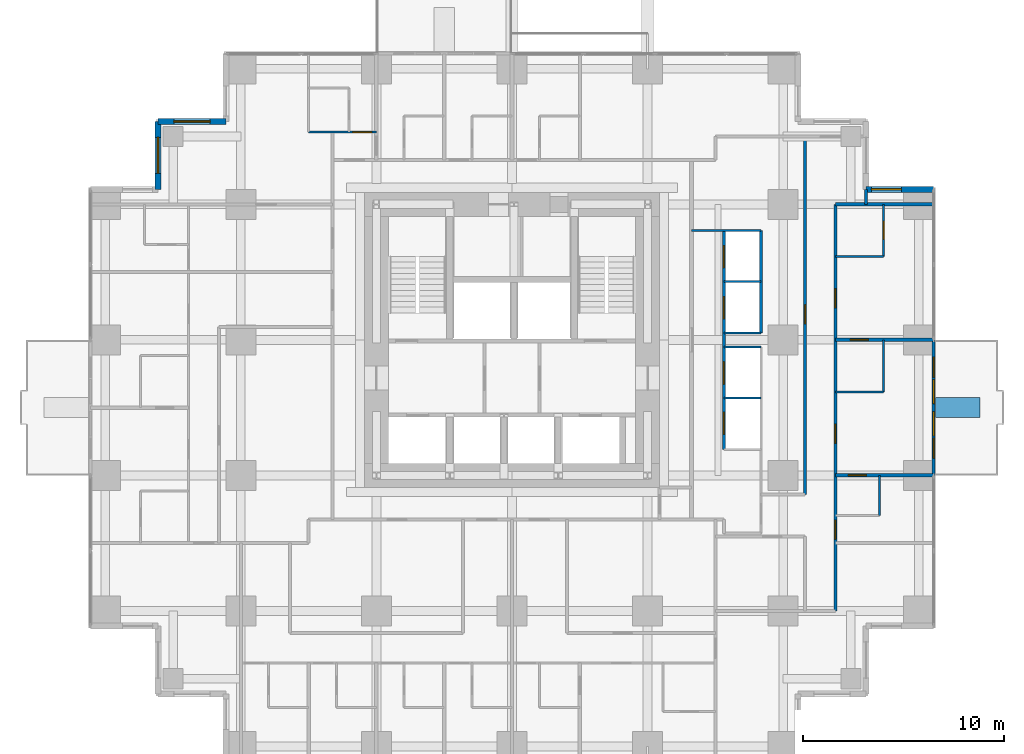
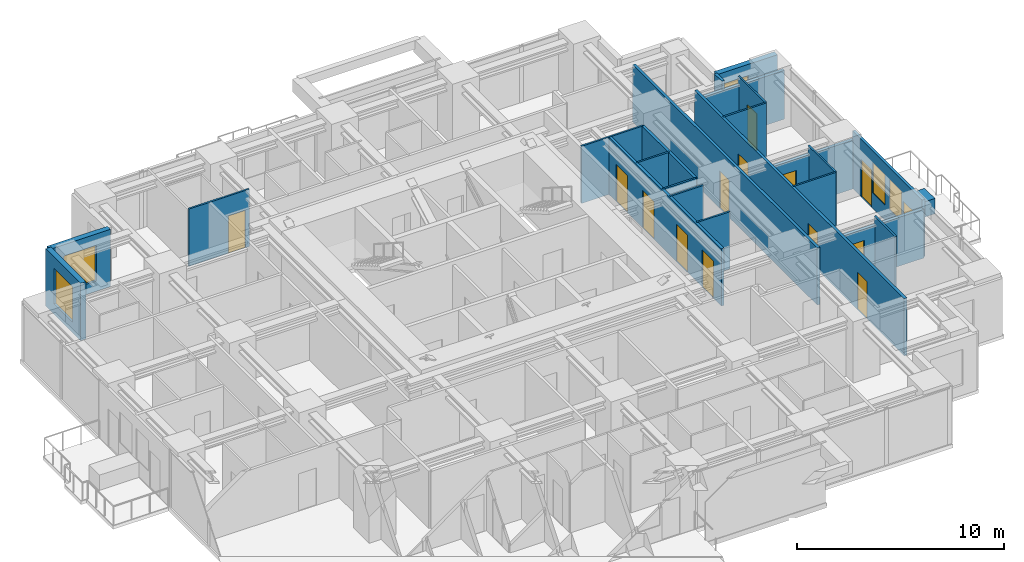
# One storey, part 10 of 13: 24 walls, 14 doors, 5 windows, 19 openings.
"""IFC4 building model written with IfcOpenShell, lengths in metres."""

from ifc_helpers import new_model, si_unit, direction, frame, frame_2d, origin, place, context, subcontext, project, spatial, rectangle, extrude, material, layer, layer_set, type_object, element, fill, save


model = new_model("IFC4")

# Units and contexts
model_context = context("Model", 3, precision=1e-05, world=origin(), true_north=direction((0.0, 1.0)))
body_context = subcontext(model_context, "Body", "Model", "MODEL_VIEW")
ifc_project = project(units=[si_unit("LENGTHUNIT", "METRE"), si_unit("AREAUNIT", "SQUARE_METRE"), si_unit("VOLUMEUNIT", "CUBIC_METRE"), si_unit("PLANEANGLEUNIT", "RADIAN"), si_unit("MASSUNIT", "GRAM", prefix="KILO")], contexts=[model_context])

# Site, building, storey
site_placement = place(None, origin())
site = spatial("IfcSite", under=ifc_project, at=site_placement, CompositionType="ELEMENT")
building_placement = place(site_placement, origin())
building = spatial("IfcBuilding", under=site, at=building_placement, Name="Nyansa Garden Tower", CompositionType="ELEMENT")
storey_placement = place(building_placement, frame((0.0, 0.0, 116.10009765625)))
storey = spatial("IfcBuildingStorey", under=building, at=storey_placement, Name="L31", CompositionType="ELEMENT", Elevation=116.10009765625)

# Wall, opening, door
ifc_material_1 = material(Name="Dense blockwork, plastered both sides, 55 dB", Category="masonry")
ifc_layer_1 = layer(ifc_material_1, 0.175048828125)
ifc_layer_set_1 = layer_set([ifc_layer_1], Name="Acoustic party wall PW175")
wall_type_1 = type_object("IfcWallType", Name="Acoustic party wall PW175", PredefinedType="PARTITIONING", material=ifc_layer_set_1)
wall_1_placement = place(storey_placement, frame((36.35009765625, 13.5, 0.0), z_axis=(0.0, 0.0, 1.0), x_axis=(1.0, 0.0, 0.0)))
wall_1 = element("IfcWall", 1, at=wall_1_placement, inside=storey, type_object=wall_type_1, Name="Party wall", PredefinedType="PARTITIONING", context=body_context, shape_type="SweptSolid", body=[
    extrude(rectangle(XDim=4.8837890625, YDim=0.175048828125, at=frame_2d((2.44189453125, 0.0))), origin(), (0.0, 0.0, 1.0), 2.876953125),
])
opening_1_placement = place(wall_1_placement, frame((0.64990234375, 0.0, 0.0)))
opening_1 = element("IfcOpeningElement", 2, at=opening_1_placement, cuts=wall_1, Name="Opening D02", PredefinedType="OPENING", context=body_context, shape_type="SweptSolid", body=[
    extrude(rectangle(XDim=0.89990234375, YDim=2.199951171875, at=frame_2d((0.449951171875, 1.10009765625))), frame((0.0, 0.097412109375, 0.0), z_axis=(0.0, -1.0, 0.0), x_axis=(1.0, 0.0, 0.0)), (0.0, 0.0, 1.0), 0.195068359375),
])
ifc_material_2 = material(Name="Timber flush door", Category="wood")
door_type_1 = type_object("IfcDoorType", Name="En-suite door D02 900x2200", OperationType="SINGLE_SWING_RIGHT", PredefinedType="DOOR", material=ifc_material_2)
door_1_placement = place(opening_1_placement, origin())
door_1 = element("IfcDoor", 3, at=door_1_placement, inside=storey, type_object=door_type_1, Name="Door L31-040", OperationType="SINGLE_SWING_RIGHT", OverallHeight=2.199951171875, OverallWidth=0.89990234375, PredefinedType="DOOR", context=body_context, shape_type="SweptSolid", body=[
    extrude(rectangle(XDim=0.89990234375, YDim=2.199951171875, at=frame_2d((0.449951171875, 1.10009765625))), frame((0.0, 0.02490234375, 0.0), z_axis=(0.0, -1.0, 0.0), x_axis=(1.0, 0.0, 0.0)), (0.0, 0.0, 1.0), 0.050048828125),
])
fill(opening_1, door_1)

wall_2_placement = place(storey_placement, frame((36.35009765625, 20.25, 0.0), z_axis=(0.0, 0.0, 1.0), x_axis=(1.0, 0.0, 0.0)))
wall_2 = element("IfcWall", 4, at=wall_2_placement, inside=storey, type_object=wall_type_1, Name="Party wall", PredefinedType="PARTITIONING", context=body_context, shape_type="SweptSolid", body=[
    extrude(rectangle(XDim=4.8837890625, YDim=0.175048828125, at=frame_2d((2.44189453125, 0.0))), origin(), (0.0, 0.0, 1.0), 2.876953125),
])
opening_2_placement = place(wall_2_placement, frame((0.75, 0.0, 0.0)))
opening_2 = element("IfcOpeningElement", 5, at=opening_2_placement, cuts=wall_2, Name="Opening D02", PredefinedType="OPENING", context=body_context, shape_type="SweptSolid", body=[
    extrude(rectangle(XDim=0.89990234375, YDim=2.199951171875, at=frame_2d((0.449951171875, 1.10009765625))), frame((0.0, 0.097412109375, 0.0), z_axis=(0.0, -1.0, 0.0), x_axis=(1.0, 0.0, 0.0)), (0.0, 0.0, 1.0), 0.195068359375),
])
door_2_placement = place(opening_2_placement, origin())
door_2 = element("IfcDoor", 6, at=door_2_placement, inside=storey, type_object=door_type_1, Name="Door L31-038", OperationType="SINGLE_SWING_RIGHT", OverallHeight=2.199951171875, OverallWidth=0.89990234375, PredefinedType="DOOR", context=body_context, shape_type="SweptSolid", body=[
    extrude(rectangle(XDim=0.89990234375, YDim=2.199951171875, at=frame_2d((0.449951171875, 1.10009765625))), frame((0.0, 0.02490234375, 0.0), z_axis=(0.0, -1.0, 0.0), x_axis=(1.0, 0.0, 0.0)), (0.0, 0.0, 1.0), 0.050048828125),
])
fill(opening_2, door_2)

# Wall
wall_3_placement = place(storey_placement, frame((36.35009765625, 27.0, 0.0), z_axis=(0.0, 0.0, 1.0), x_axis=(1.0, 0.0, 0.0)))
element("IfcWall", 7, at=wall_3_placement, inside=storey, type_object=wall_type_1, Name="Party wall", PredefinedType="PARTITIONING", context=body_context, shape_type="SweptSolid", body=[
    extrude(rectangle(XDim=4.8837890625, YDim=0.175048828125, at=frame_2d((2.44189453125, 0.0))), origin(), (0.0, 0.0, 1.0), 2.876953125),
])

# Wall, openings, doors, windows
ifc_material_3 = material(Name="Black aluminium framed glazed screen", Category="aluminium")
ifc_layer_2 = layer(ifc_material_3, 0.14990234375)
ifc_layer_set_2 = layer_set([ifc_layer_2], Name="Balcony screen wall BW150")
wall_type_2 = type_object("IfcWallType", Name="Balcony screen wall BW150", PredefinedType="SOLIDWALL", material=ifc_layer_set_2)
wall_4_placement = place(storey_placement, frame((41.25, 20.25, 0.0), z_axis=(0.0, 0.0, 1.0), x_axis=(0.0, -1.0, 0.0)))
wall_4 = element("IfcWall", 8, at=wall_4_placement, inside=storey, type_object=wall_type_2, Name="Glazed screen wall L31 E", PredefinedType="SOLIDWALL", context=body_context, shape_type="SweptSolid", body=[
    extrude(rectangle(XDim=6.75, YDim=0.14990234375, at=frame_2d((3.375, 0.0))), origin(), (0.0, 0.0, 1.0), 3.375),
])
opening_3_placement = place(wall_4_placement, frame((0.862548828125, 0.0, 0.0)))
opening_3 = element("IfcOpeningElement", 9, at=opening_3_placement, cuts=wall_4, Name="Opening D20", PredefinedType="OPENING", context=body_context, shape_type="SweptSolid", body=[
    extrude(rectangle(XDim=1.0, YDim=2.199951171875, at=frame_2d((0.5, 1.10009765625))), frame((0.0, 0.0849609375, 0.0), z_axis=(0.0, -1.0, 0.0), x_axis=(1.0, 0.0, 0.0)), (0.0, 0.0, 1.0), 0.169921875),
])
opening_4_placement = place(wall_4_placement, frame((1.97509765625, 0.0, 0.89990234375)))
opening_4 = element("IfcOpeningElement", 10, at=opening_4_placement, cuts=wall_4, Name="Opening W6", PredefinedType="OPENING", context=body_context, shape_type="SweptSolid", body=[
    extrude(rectangle(XDim=1.199951171875, YDim=1.800048828125, at=frame_2d((0.60009765625, 0.89990234375))), frame((0.0, 0.0849609375, 0.0), z_axis=(0.0, -1.0, 0.0), x_axis=(1.0, 0.0, 0.0)), (0.0, 0.0, 1.0), 0.169921875),
])
opening_5_placement = place(wall_4_placement, frame((4.887451171875, 0.0, 0.0)))
opening_5 = element("IfcOpeningElement", 11, at=opening_5_placement, cuts=wall_4, Name="Opening D20", PredefinedType="OPENING", context=body_context, shape_type="SweptSolid", body=[
    extrude(rectangle(XDim=1.0, YDim=2.199951171875, at=frame_2d((0.5, 1.10009765625))), frame((0.0, 0.0849609375, 0.0), z_axis=(0.0, -1.0, 0.0), x_axis=(1.0, 0.0, 0.0)), (0.0, 0.0, 1.0), 0.169921875),
])
opening_6_placement = place(wall_4_placement, frame((3.574951171875, 0.0, 0.89990234375)))
opening_6 = element("IfcOpeningElement", 12, at=opening_6_placement, cuts=wall_4, Name="Opening W6", PredefinedType="OPENING", context=body_context, shape_type="SweptSolid", body=[
    extrude(rectangle(XDim=1.199951171875, YDim=1.800048828125, at=frame_2d((0.60009765625, 0.89990234375))), frame((0.0, 0.0849609375, 0.0), z_axis=(0.0, -1.0, 0.0), x_axis=(1.0, 0.0, 0.0)), (0.0, 0.0, 1.0), 0.169921875),
])
ifc_material_4 = material(Name="Black aluminium framed glazed door", Category="aluminium")
door_type_2 = type_object("IfcDoorType", Name="Balcony door D20 1000x2200", OperationType="NOTDEFINED", PredefinedType="DOOR", material=ifc_material_4)
door_3_placement = place(opening_3_placement, origin())
door_3 = element("IfcDoor", 13, at=door_3_placement, inside=storey, type_object=door_type_2, Name="Balcony door L31", OperationType="SINGLE_SWING_LEFT", OverallHeight=2.199951171875, OverallWidth=1.0, PredefinedType="DOOR", context=body_context, shape_type="SweptSolid", body=[
    extrude(rectangle(XDim=1.0, YDim=2.199951171875, at=frame_2d((0.5, 1.10009765625))), frame((0.0, 0.02490234375, 0.0), z_axis=(0.0, -1.0, 0.0), x_axis=(1.0, 0.0, 0.0)), (0.0, 0.0, 1.0), 0.050048828125),
])
fill(opening_3, door_3)
door_4_placement = place(opening_5_placement, origin())
door_4 = element("IfcDoor", 14, at=door_4_placement, inside=storey, type_object=door_type_2, Name="Balcony door L31", OperationType="SINGLE_SWING_RIGHT", OverallHeight=2.199951171875, OverallWidth=1.0, PredefinedType="DOOR", context=body_context, shape_type="SweptSolid", body=[
    extrude(rectangle(XDim=1.0, YDim=2.199951171875, at=frame_2d((0.5, 1.10009765625))), frame((0.0, 0.02490234375, 0.0), z_axis=(0.0, -1.0, 0.0), x_axis=(1.0, 0.0, 0.0)), (0.0, 0.0, 1.0), 0.050048828125),
])
fill(opening_5, door_4)
ifc_material_5 = material(Name="Black aluminium frame, dark tinted double glazing", Category="aluminium")
window_type_1 = type_object("IfcWindowType", Name="Balcony window W6 1200x1800", PartitioningType="SINGLE_PANEL", PredefinedType="WINDOW", material=ifc_material_5)
window_1_placement = place(opening_4_placement, origin())
window_1 = element("IfcWindow", 15, at=window_1_placement, inside=storey, type_object=window_type_1, Name="Window L31", OverallHeight=1.800048828125, OverallWidth=1.199951171875, PartitioningType="SINGLE_PANEL", PredefinedType="WINDOW", context=body_context, shape_type="SweptSolid", body=[
    extrude(rectangle(XDim=1.199951171875, YDim=1.800048828125, at=frame_2d((0.60009765625, 0.89990234375))), frame((0.0, 0.030029296875, 0.0), z_axis=(0.0, -1.0, 0.0), x_axis=(1.0, 0.0, 0.0)), (0.0, 0.0, 1.0), 0.06005859375),
])
fill(opening_4, window_1)
window_2_placement = place(opening_6_placement, origin())
window_2 = element("IfcWindow", 16, at=window_2_placement, inside=storey, type_object=window_type_1, Name="Window L31", OverallHeight=1.800048828125, OverallWidth=1.199951171875, PartitioningType="SINGLE_PANEL", PredefinedType="WINDOW", context=body_context, shape_type="SweptSolid", body=[
    extrude(rectangle(XDim=1.199951171875, YDim=1.800048828125, at=frame_2d((0.60009765625, 0.89990234375))), frame((0.0, 0.030029296875, 0.0), z_axis=(0.0, -1.0, 0.0), x_axis=(1.0, 0.0, 0.0)), (0.0, 0.0, 1.0), 0.06005859375),
])
fill(opening_6, window_2)

# Walls
ifc_material_6 = material(Name="Steel-stud shaft wall, two layers fire-rated board, EI 120", Category="steel")
ifc_layer_3 = layer(ifc_material_6, 0.10009765625)
ifc_layer_set_3 = layer_set([ifc_layer_3], Name="Lift shaft wall SW100")
wall_type_3 = type_object("IfcWallType", Name="Lift shaft wall SW100", PredefinedType="SHEAR", material=ifc_layer_set_3)
wall_5_placement = place(storey_placement, frame((29.199951171875, 25.699951171875, 0.0), z_axis=(0.0, 0.0, 1.0), x_axis=(1.0, 0.0, 0.0)))
element("IfcWall", 17, at=wall_5_placement, inside=storey, type_object=wall_type_3, Name="Lift shaft wall", PredefinedType="SHEAR", context=body_context, shape_type="SweptSolid", body=[
    extrude(rectangle(XDim=3.449951171875, YDim=0.10009765625, at=frame_2d((1.72509765625, 0.0))), origin(), (0.0, 0.0, 1.0), 3.375),
])
for number, where, z_axis, x_axis, name in (
    (18, (30.800048828125, 17.35009765625, 0.0), (0.0, 0.0, 1.0), (1.0, 0.0, 0.0), "Lift shaft wall"),
    (19, (30.800048828125, 19.89990234375, 0.0), (0.0, 0.0, 1.0), (1.0, 0.0, 0.0), "Lift shaft wall"),
    (20, (30.800048828125, 20.60009765625, 0.0), (0.0, 0.0, 1.0), (1.0, 0.0, 0.0), "Lift shaft wall"),
    (21, (30.800048828125, 23.14990234375, 0.0), (0.0, 0.0, 1.0), (1.0, 0.0, 0.0), "Lift shaft wall"),
):
    element("IfcWall", number, at=place(storey_placement, frame(where, z_axis=z_axis, x_axis=x_axis)), inside=storey, type_object=wall_type_3, Name=name, PredefinedType="SHEAR", context=body_context, shape_type="SweptSolid", body=[
        extrude(rectangle(XDim=1.849853515625, YDim=0.10009765625, at=frame_2d((0.9248046875, 0.0))), origin(), (0.0, 0.0, 1.0), 3.375),
    ])

# Wall, openings, doors
ifc_material_7 = material(Name="Blockwork, plastered both sides", Category="masonry")
ifc_layer_4 = layer(ifc_material_7, 0.14990234375)
ifc_layer_set_4 = layer_set([ifc_layer_4], Name="Partition PW150")
wall_type_4 = type_object("IfcWallType", Name="Partition PW150", PredefinedType="PARTITIONING", material=ifc_layer_set_4)
wall_6_placement = place(storey_placement, frame((30.800048828125, 14.800048828125, 0.0), z_axis=(0.0, 0.0, 1.0), x_axis=(0.0, 1.0, 0.0)))
wall_6 = element("IfcWall", 22, at=wall_6_placement, inside=storey, type_object=wall_type_4, Name="Partition", PredefinedType="PARTITIONING", context=body_context, shape_type="SweptSolid", body=[
    extrude(rectangle(XDim=10.89990234375, YDim=0.14990234375, at=frame_2d((5.449951171875, 0.0))), origin(), (0.0, 0.0, 1.0), 3.375),
])
opening_7_placement = place(wall_6_placement, frame((0.75, 0.0, 0.0)))
opening_7 = element("IfcOpeningElement", 23, at=opening_7_placement, cuts=wall_6, Name="Opening LD-A", PredefinedType="OPENING", context=body_context, shape_type="SweptSolid", body=[
    extrude(rectangle(XDim=1.10009765625, YDim=2.199951171875, at=frame_2d((0.550048828125, 1.10009765625))), frame((0.0, 0.0849609375, 0.0), z_axis=(0.0, -1.0, 0.0), x_axis=(1.0, 0.0, 0.0)), (0.0, 0.0, 1.0), 0.169921875),
])
opening_8_placement = place(wall_6_placement, frame((3.25, 0.0, 0.0)))
opening_8 = element("IfcOpeningElement", 24, at=opening_8_placement, cuts=wall_6, Name="Opening LD-A", PredefinedType="OPENING", context=body_context, shape_type="SweptSolid", body=[
    extrude(rectangle(XDim=1.10009765625, YDim=2.199951171875, at=frame_2d((0.550048828125, 1.10009765625))), frame((0.0, 0.0849609375, 0.0), z_axis=(0.0, -1.0, 0.0), x_axis=(1.0, 0.0, 0.0)), (0.0, 0.0, 1.0), 0.169921875),
])
opening_9_placement = place(wall_6_placement, frame((6.5, 0.0, 0.0)))
opening_9 = element("IfcOpeningElement", 25, at=opening_9_placement, cuts=wall_6, Name="Opening LD-A", PredefinedType="OPENING", context=body_context, shape_type="SweptSolid", body=[
    extrude(rectangle(XDim=1.10009765625, YDim=2.199951171875, at=frame_2d((0.550048828125, 1.10009765625))), frame((0.0, 0.0849609375, 0.0), z_axis=(0.0, -1.0, 0.0), x_axis=(1.0, 0.0, 0.0)), (0.0, 0.0, 1.0), 0.169921875),
])
opening_10_placement = place(wall_6_placement, frame((9.050048828125, 0.0, 0.0)))
opening_10 = element("IfcOpeningElement", 26, at=opening_10_placement, cuts=wall_6, Name="Opening LD-A", PredefinedType="OPENING", context=body_context, shape_type="SweptSolid", body=[
    extrude(rectangle(XDim=1.10009765625, YDim=2.199951171875, at=frame_2d((0.550048828125, 1.10009765625))), frame((0.0, 0.0849609375, 0.0), z_axis=(0.0, -1.0, 0.0), x_axis=(1.0, 0.0, 0.0)), (0.0, 0.0, 1.0), 0.169921875),
])
ifc_material_8 = material(Name="Stainless steel centre-opening landing door of the low-rise lift, E 120", Category="steel")
door_type_3 = type_object("IfcDoorType", Name="Lift landing door LD-A 1100x2200", OperationType="DOUBLE_DOOR_SLIDING", PredefinedType="DOOR", material=ifc_material_8)
door_5_placement = place(opening_7_placement, origin())
door_5 = element("IfcDoor", 27, at=door_5_placement, inside=storey, type_object=door_type_3, Name="Landing door A1", OperationType="DOUBLE_DOOR_SLIDING", OverallHeight=2.199951171875, OverallWidth=1.10009765625, PredefinedType="DOOR", context=body_context, shape_type="SweptSolid", body=[
    extrude(rectangle(XDim=1.10009765625, YDim=2.199951171875, at=frame_2d((0.550048828125, 1.10009765625))), frame((0.0, 0.02490234375, 0.0), z_axis=(0.0, -1.0, 0.0), x_axis=(1.0, 0.0, 0.0)), (0.0, 0.0, 1.0), 0.050048828125),
])
fill(opening_7, door_5)
door_6_placement = place(opening_8_placement, origin())
door_6 = element("IfcDoor", 28, at=door_6_placement, inside=storey, type_object=door_type_3, Name="Landing door A2", OperationType="DOUBLE_DOOR_SLIDING", OverallHeight=2.199951171875, OverallWidth=1.10009765625, PredefinedType="DOOR", context=body_context, shape_type="SweptSolid", body=[
    extrude(rectangle(XDim=1.10009765625, YDim=2.199951171875, at=frame_2d((0.550048828125, 1.10009765625))), frame((0.0, 0.02490234375, 0.0), z_axis=(0.0, -1.0, 0.0), x_axis=(1.0, 0.0, 0.0)), (0.0, 0.0, 1.0), 0.050048828125),
])
fill(opening_8, door_6)
door_7_placement = place(opening_9_placement, origin())
door_7 = element("IfcDoor", 29, at=door_7_placement, inside=storey, type_object=door_type_3, Name="Landing door A3", OperationType="DOUBLE_DOOR_SLIDING", OverallHeight=2.199951171875, OverallWidth=1.10009765625, PredefinedType="DOOR", context=body_context, shape_type="SweptSolid", body=[
    extrude(rectangle(XDim=1.10009765625, YDim=2.199951171875, at=frame_2d((0.550048828125, 1.10009765625))), frame((0.0, 0.02490234375, 0.0), z_axis=(0.0, -1.0, 0.0), x_axis=(1.0, 0.0, 0.0)), (0.0, 0.0, 1.0), 0.050048828125),
])
fill(opening_9, door_7)
door_8_placement = place(opening_10_placement, origin())
door_8 = element("IfcDoor", 30, at=door_8_placement, inside=storey, type_object=door_type_3, Name="Landing door A4", OperationType="DOUBLE_DOOR_SLIDING", OverallHeight=2.199951171875, OverallWidth=1.10009765625, PredefinedType="DOOR", context=body_context, shape_type="SweptSolid", body=[
    extrude(rectangle(XDim=1.10009765625, YDim=2.199951171875, at=frame_2d((0.550048828125, 1.10009765625))), frame((0.0, 0.02490234375, 0.0), z_axis=(0.0, -1.0, 0.0), x_axis=(1.0, 0.0, 0.0)), (0.0, 0.0, 1.0), 0.050048828125),
])
fill(opening_10, door_8)

# Wall
wall_7_placement = place(storey_placement, frame((32.64990234375, 20.60009765625, 0.0), z_axis=(0.0, 0.0, 1.0), x_axis=(0.0, 1.0, 0.0)))
element("IfcWall", 31, at=wall_7_placement, inside=storey, type_object=wall_type_4, Name="Partition", PredefinedType="PARTITIONING", context=body_context, shape_type="SweptSolid", body=[
    extrude(rectangle(XDim=5.099853515625, YDim=0.14990234375, at=frame_2d((2.5498046875, 0.0))), origin(), (0.0, 0.0, 1.0), 3.375),
])

# Wall, opening, door
wall_8_placement = place(storey_placement, frame((34.85009765625, 12.550048828125, 0.0), z_axis=(0.0, 0.0, 1.0), x_axis=(0.0, 1.0, 0.0)))
wall_8 = element("IfcWall", 32, at=wall_8_placement, inside=storey, type_object=wall_type_4, Name="Partition", PredefinedType="PARTITIONING", context=body_context, shape_type="SweptSolid", body=[
    extrude(rectangle(XDim=17.824951171875, YDim=0.14990234375, at=frame_2d((8.91259765625, 0.0))), origin(), (0.0, 0.0, 1.0), 3.375),
])
opening_11_placement = place(wall_8_placement, frame((8.5, 0.0, 0.0)))
opening_11 = element("IfcOpeningElement", 33, at=opening_11_placement, cuts=wall_8, Name="Opening D01", PredefinedType="OPENING", context=body_context, shape_type="SweptSolid", body=[
    extrude(rectangle(XDim=0.949951171875, YDim=2.199951171875, at=frame_2d((0.47509765625, 1.10009765625))), frame((0.0, 0.0849609375, 0.0), z_axis=(0.0, -1.0, 0.0), x_axis=(1.0, 0.0, 0.0)), (0.0, 0.0, 1.0), 0.169921875),
])
ifc_material_9 = material(Name="Timber flush door, 30 minute fire resisting", Category="wood")
door_type_4 = type_object("IfcDoorType", Name="Bedroom door D01 950x2200", OperationType="SINGLE_SWING_LEFT", PredefinedType="DOOR", material=ifc_material_9)
door_9_placement = place(opening_11_placement, origin())
door_9 = element("IfcDoor", 34, at=door_9_placement, inside=storey, type_object=door_type_4, Name="Door L31-042", OperationType="SINGLE_SWING_LEFT", OverallHeight=2.199951171875, OverallWidth=0.949951171875, PredefinedType="DOOR", context=body_context, shape_type="SweptSolid", body=[
    extrude(rectangle(XDim=0.949951171875, YDim=2.199951171875, at=frame_2d((0.47509765625, 1.10009765625))), frame((0.0, 0.02490234375, 0.0), z_axis=(0.0, -1.0, 0.0), x_axis=(1.0, 0.0, 0.0)), (0.0, 0.0, 1.0), 0.050048828125),
])
fill(opening_11, door_9)

# Wall, openings, doors
wall_9_placement = place(storey_placement, frame((36.35009765625, 6.75, 0.0), z_axis=(0.0, 0.0, 1.0), x_axis=(0.0, 1.0, 0.0)))
wall_9 = element("IfcWall", 35, at=wall_9_placement, inside=storey, type_object=wall_type_4, Name="Partition", PredefinedType="PARTITIONING", context=body_context, shape_type="SweptSolid", body=[
    extrude(rectangle(XDim=20.25, YDim=0.14990234375, at=frame_2d((10.125, 0.0))), origin(), (0.0, 0.0, 1.0), 3.375),
])
opening_12_placement = place(wall_9_placement, frame((15.10009765625, 0.0, 0.0)))
opening_12 = element("IfcOpeningElement", 36, at=opening_12_placement, cuts=wall_9, Name="Opening D14", PredefinedType="OPENING", context=body_context, shape_type="SweptSolid", body=[
    extrude(rectangle(XDim=0.949951171875, YDim=2.199951171875, at=frame_2d((0.47509765625, 1.10009765625))), frame((0.0, 0.0849609375, 0.0), z_axis=(0.0, -1.0, 0.0), x_axis=(1.0, 0.0, 0.0)), (0.0, 0.0, 1.0), 0.169921875),
])
opening_13_placement = place(wall_9_placement, frame((8.35009765625, 0.0, 0.0)))
opening_13 = element("IfcOpeningElement", 37, at=opening_13_placement, cuts=wall_9, Name="Opening D14", PredefinedType="OPENING", context=body_context, shape_type="SweptSolid", body=[
    extrude(rectangle(XDim=0.949951171875, YDim=2.199951171875, at=frame_2d((0.47509765625, 1.10009765625))), frame((0.0, 0.0849609375, 0.0), z_axis=(0.0, -1.0, 0.0), x_axis=(1.0, 0.0, 0.0)), (0.0, 0.0, 1.0), 0.169921875),
])
opening_14_placement = place(wall_9_placement, frame((3.574951171875, 0.0, 0.0)))
opening_14 = element("IfcOpeningElement", 38, at=opening_14_placement, cuts=wall_9, Name="Opening D14", PredefinedType="OPENING", context=body_context, shape_type="SweptSolid", body=[
    extrude(rectangle(XDim=0.949951171875, YDim=2.199951171875, at=frame_2d((0.47509765625, 1.10009765625))), frame((0.0, 0.0849609375, 0.0), z_axis=(0.0, -1.0, 0.0), x_axis=(1.0, 0.0, 0.0)), (0.0, 0.0, 1.0), 0.169921875),
])
ifc_material_10 = material(Name="Timber flush door, 60 minute fire resisting, self-closing", Category="wood")
door_type_5 = type_object("IfcDoorType", Name="Studio entrance door D14 950x2200", OperationType="SINGLE_SWING_LEFT", PredefinedType="DOOR", material=ifc_material_10)
door_10_placement = place(opening_12_placement, origin())
door_10 = element("IfcDoor", 39, at=door_10_placement, inside=storey, type_object=door_type_5, Name="Door L31-035", OperationType="SINGLE_SWING_LEFT", OverallHeight=2.199951171875, OverallWidth=0.949951171875, PredefinedType="DOOR", context=body_context, shape_type="SweptSolid", body=[
    extrude(rectangle(XDim=0.949951171875, YDim=2.199951171875, at=frame_2d((0.47509765625, 1.10009765625))), frame((0.0, 0.02490234375, 0.0), z_axis=(0.0, -1.0, 0.0), x_axis=(1.0, 0.0, 0.0)), (0.0, 0.0, 1.0), 0.050048828125),
])
fill(opening_12, door_10)
door_11_placement = place(opening_13_placement, origin())
door_11 = element("IfcDoor", 40, at=door_11_placement, inside=storey, type_object=door_type_5, Name="Door L31-037", OperationType="SINGLE_SWING_LEFT", OverallHeight=2.199951171875, OverallWidth=0.949951171875, PredefinedType="DOOR", context=body_context, shape_type="SweptSolid", body=[
    extrude(rectangle(XDim=0.949951171875, YDim=2.199951171875, at=frame_2d((0.47509765625, 1.10009765625))), frame((0.0, 0.02490234375, 0.0), z_axis=(0.0, -1.0, 0.0), x_axis=(1.0, 0.0, 0.0)), (0.0, 0.0, 1.0), 0.050048828125),
])
fill(opening_13, door_11)
door_12_placement = place(opening_14_placement, origin())
door_12 = element("IfcDoor", 41, at=door_12_placement, inside=storey, type_object=door_type_5, Name="Door L31-039", OperationType="SINGLE_SWING_LEFT", OverallHeight=2.199951171875, OverallWidth=0.949951171875, PredefinedType="DOOR", context=body_context, shape_type="SweptSolid", body=[
    extrude(rectangle(XDim=0.949951171875, YDim=2.199951171875, at=frame_2d((0.47509765625, 1.10009765625))), frame((0.0, 0.02490234375, 0.0), z_axis=(0.0, -1.0, 0.0), x_axis=(1.0, 0.0, 0.0)), (0.0, 0.0, 1.0), 0.050048828125),
])
fill(opening_14, door_12)

# Wall
wall_10_placement = place(storey_placement, frame((37.875, 27.0, 0.0), z_axis=(0.0, 0.0, 1.0), x_axis=(0.0, 1.0, 0.0)))
element("IfcWall", 42, at=wall_10_placement, inside=storey, type_object=wall_type_4, Name="Partition", PredefinedType="PARTITIONING", context=body_context, shape_type="SweptSolid", body=[
    extrude(rectangle(XDim=0.73388671875, YDim=0.14990234375, at=frame_2d((0.366943359375, 0.0))), origin(), (0.0, 0.0, 1.0), 3.375),
])

# Wall, opening, window
ifc_material_11 = material(Name="Turquoise glazed tile on concrete blockwork", Category="masonry")
ifc_layer_5 = layer(ifc_material_11, 0.300048828125)
ifc_layer_set_5 = layer_set([ifc_layer_5], Name="Tiled corner wall TW300")
wall_type_5 = type_object("IfcWallType", Name="Tiled corner wall TW300", PredefinedType="SOLIDWALL", material=ifc_layer_set_5)
wall_11_placement = place(storey_placement, frame((41.25, 27.75, 0.0), z_axis=(0.0, 0.0, 1.0), x_axis=(-1.0, 0.0, 0.0)))
wall_11 = element("IfcWall", 43, at=wall_11_placement, inside=storey, type_object=wall_type_5, Name="Tiled corner wall L31", PredefinedType="SOLIDWALL", context=body_context, shape_type="SweptSolid", body=[
    extrude(rectangle(XDim=3.375, YDim=0.300048828125, at=frame_2d((1.6875, 0.0))), origin(), (0.0, 0.0, 1.0), 3.375),
])
opening_15_placement = place(wall_11_placement, frame((1.607421875, 0.0, 0.89990234375)))
opening_15 = element("IfcOpeningElement", 44, at=opening_15_placement, cuts=wall_11, Name="Opening W1", PredefinedType="OPENING", context=body_context, shape_type="SweptSolid", body=[
    extrude(rectangle(XDim=1.5, YDim=1.800048828125, at=frame_2d((0.75, 0.89990234375))), frame((0.0, 0.159912109375, 0.0), z_axis=(0.0, -1.0, 0.0), x_axis=(1.0, 0.0, 0.0)), (0.0, 0.0, 1.0), 0.320068359375),
])
ifc_material_12 = material(Name="Black aluminium frame, dark tinted double glazing", Category="aluminium")
window_type_2 = type_object("IfcWindowType", Name="Window W1 1500x1800", PartitioningType="SINGLE_PANEL", PredefinedType="WINDOW", material=ifc_material_12)
window_3_placement = place(opening_15_placement, origin())
window_3 = element("IfcWindow", 45, at=window_3_placement, inside=storey, type_object=window_type_2, Name="Corner window L31", OverallHeight=1.800048828125, OverallWidth=1.5, PartitioningType="SINGLE_PANEL", PredefinedType="WINDOW", context=body_context, shape_type="SweptSolid", body=[
    extrude(rectangle(XDim=1.5, YDim=1.800048828125, at=frame_2d((0.75, 0.89990234375))), frame((0.0, 0.030029296875, 0.0), z_axis=(0.0, -1.0, 0.0), x_axis=(1.0, 0.0, 0.0)), (0.0, 0.0, 1.0), 0.06005859375),
])
fill(opening_15, window_3)

wall_12_placement = place(storey_placement, frame((6.0, 31.125, 0.0), z_axis=(0.0, 0.0, 1.0), x_axis=(-1.0, 0.0, 0.0)))
wall_12 = element("IfcWall", 46, at=wall_12_placement, inside=storey, type_object=wall_type_5, Name="Tiled corner wall L31", PredefinedType="SOLIDWALL", context=body_context, shape_type="SweptSolid", body=[
    extrude(rectangle(XDim=3.375, YDim=0.300048828125, at=frame_2d((1.6875, 0.0))), origin(), (0.0, 0.0, 1.0), 3.375),
])
opening_16_placement = place(wall_12_placement, frame((0.78759765625, 0.0, 0.60009765625)))
opening_16 = element("IfcOpeningElement", 47, at=opening_16_placement, cuts=wall_12, Name="Opening W2", PredefinedType="OPENING", context=body_context, shape_type="SweptSolid", body=[
    extrude(rectangle(XDim=1.800048828125, YDim=2.10009765625, at=frame_2d((0.89990234375, 1.050048828125))), frame((0.0, 0.159912109375, 0.0), z_axis=(0.0, -1.0, 0.0), x_axis=(1.0, 0.0, 0.0)), (0.0, 0.0, 1.0), 0.320068359375),
])
ifc_material_13 = material(Name="Black aluminium frame, dark tinted double glazing", Category="aluminium")
window_type_3 = type_object("IfcWindowType", Name="Window W2 1800x2100", PartitioningType="SINGLE_PANEL", PredefinedType="WINDOW", material=ifc_material_13)
window_4_placement = place(opening_16_placement, origin())
window_4 = element("IfcWindow", 48, at=window_4_placement, inside=storey, type_object=window_type_3, Name="Corner window L31", OverallHeight=2.10009765625, OverallWidth=1.800048828125, PartitioningType="SINGLE_PANEL", PredefinedType="WINDOW", context=body_context, shape_type="SweptSolid", body=[
    extrude(rectangle(XDim=1.800048828125, YDim=2.10009765625, at=frame_2d((0.89990234375, 1.050048828125))), frame((0.0, 0.030029296875, 0.0), z_axis=(0.0, -1.0, 0.0), x_axis=(1.0, 0.0, 0.0)), (0.0, 0.0, 1.0), 0.06005859375),
])
fill(opening_16, window_4)

wall_13_placement = place(storey_placement, frame((2.625, 31.125, 0.0), z_axis=(0.0, 0.0, 1.0), x_axis=(0.0, -1.0, 0.0)))
wall_13 = element("IfcWall", 49, at=wall_13_placement, inside=storey, type_object=wall_type_5, Name="Tiled corner wall L31", PredefinedType="SOLIDWALL", context=body_context, shape_type="SweptSolid", body=[
    extrude(rectangle(XDim=3.375, YDim=0.300048828125, at=frame_2d((1.6875, 0.0))), origin(), (0.0, 0.0, 1.0), 3.375),
])
opening_17_placement = place(wall_13_placement, frame((0.78759765625, 0.0, 0.60009765625)))
opening_17 = element("IfcOpeningElement", 50, at=opening_17_placement, cuts=wall_13, Name="Opening W2", PredefinedType="OPENING", context=body_context, shape_type="SweptSolid", body=[
    extrude(rectangle(XDim=1.800048828125, YDim=2.10009765625, at=frame_2d((0.89990234375, 1.050048828125))), frame((0.0, 0.159912109375, 0.0), z_axis=(0.0, -1.0, 0.0), x_axis=(1.0, 0.0, 0.0)), (0.0, 0.0, 1.0), 0.320068359375),
])
window_5_placement = place(opening_17_placement, origin())
window_5 = element("IfcWindow", 51, at=window_5_placement, inside=storey, type_object=window_type_3, Name="Corner window L31", OverallHeight=2.10009765625, OverallWidth=1.800048828125, PartitioningType="SINGLE_PANEL", PredefinedType="WINDOW", context=body_context, shape_type="SweptSolid", body=[
    extrude(rectangle(XDim=1.800048828125, YDim=2.10009765625, at=frame_2d((0.89990234375, 1.050048828125))), frame((0.0, 0.030029296875, 0.0), z_axis=(0.0, -1.0, 0.0), x_axis=(1.0, 0.0, 0.0)), (0.0, 0.0, 1.0), 0.06005859375),
])
fill(opening_17, window_5)

# Wall
ifc_material_14 = material(Name="Concrete C40/50 planter, waterproofed", Category="concrete")
ifc_layer_6 = layer(ifc_material_14, 1.0)
ifc_layer_set_6 = layer_set([ifc_layer_6], Name="Tree planter TP1")
wall_type_6 = type_object("IfcWallType", Name="Tree planter TP1", PredefinedType="USERDEFINED", material=ifc_layer_set_6)
wall_14_placement = place(storey_placement, frame((41.35009765625, 16.875, 0.0), z_axis=(0.0, 0.0, 1.0), x_axis=(1.0, 0.0, 0.0)))
element("IfcWall", 52, at=wall_14_placement, inside=storey, type_object=wall_type_6, Name="Tree planter L31", ObjectType="TREE PLANTER", PredefinedType="USERDEFINED", context=body_context, shape_type="SweptSolid", body=[
    extrude(rectangle(XDim=2.199951171875, YDim=1.0, at=frame_2d((1.10009765625, 0.0))), origin(), (0.0, 0.0, 1.0), 0.89990234375),
])

# Wall, opening, door
ifc_material_15 = material(Name="Moisture resistant board on steel studs, tiled", Category="steel")
ifc_layer_7 = layer(ifc_material_15, 0.10009765625)
ifc_layer_set_7 = layer_set([ifc_layer_7], Name="Wet wall PW100")
wall_type_7 = type_object("IfcWallType", Name="Wet wall PW100", PredefinedType="PARTITIONING", material=ifc_layer_set_7)
wall_15_placement = place(storey_placement, frame((10.125, 30.60009765625, 0.0), z_axis=(0.0, 0.0, 1.0), x_axis=(1.0, 0.0, 0.0)))
wall_15 = element("IfcWall", 53, at=wall_15_placement, inside=storey, type_object=wall_type_7, Name="Wet wall", PredefinedType="PARTITIONING", context=body_context, shape_type="SweptSolid", body=[
    extrude(rectangle(XDim=3.375, YDim=0.10009765625, at=frame_2d((1.6875, 0.0))), origin(), (0.0, 0.0, 1.0), 3.375),
])
opening_18_placement = place(wall_15_placement, frame((2.199951171875, 0.0, 0.0)))
opening_18 = element("IfcOpeningElement", 54, at=opening_18_placement, cuts=wall_15, Name="Opening D14", PredefinedType="OPENING", context=body_context, shape_type="SweptSolid", body=[
    extrude(rectangle(XDim=0.949951171875, YDim=2.199951171875, at=frame_2d((0.47509765625, 1.10009765625))), frame((0.0, 0.06005859375, 0.0), z_axis=(0.0, -1.0, 0.0), x_axis=(1.0, 0.0, 0.0)), (0.0, 0.0, 1.0), 0.1201171875),
])
door_13_placement = place(opening_18_placement, origin())
door_13 = element("IfcDoor", 55, at=door_13_placement, inside=storey, type_object=door_type_5, Name="Door L31-045", OperationType="SINGLE_SWING_LEFT", OverallHeight=2.199951171875, OverallWidth=0.949951171875, PredefinedType="DOOR", context=body_context, shape_type="SweptSolid", body=[
    extrude(rectangle(XDim=0.949951171875, YDim=2.199951171875, at=frame_2d((0.47509765625, 1.10009765625))), frame((0.0, 0.02490234375, 0.0), z_axis=(0.0, -1.0, 0.0), x_axis=(1.0, 0.0, 0.0)), (0.0, 0.0, 1.0), 0.050048828125),
])
fill(opening_18, door_13)

# Walls
for number, where, z_axis, x_axis, name in (
    (56, (36.35009765625, 17.64990234375, 0.0), (0.0, 0.0, 1.0), (1.0, 0.0, 0.0), "Wet wall"),
    (57, (36.35009765625, 24.39990234375, 0.0), (0.0, 0.0, 1.0), (1.0, 0.0, 0.0), "Wet wall"),
):
    element("IfcWall", number, at=place(storey_placement, frame(where, z_axis=z_axis, x_axis=x_axis)), inside=storey, type_object=wall_type_7, Name=name, PredefinedType="PARTITIONING", context=body_context, shape_type="SweptSolid", body=[
        extrude(rectangle(XDim=2.39990234375, YDim=0.10009765625, at=frame_2d((1.199951171875, 0.0))), origin(), (0.0, 0.0, 1.0), 3.375),
    ])
wall_16_placement = place(storey_placement, frame((38.550048828125, 11.5, 0.0), z_axis=(0.0, 0.0, 1.0), x_axis=(0.0, 1.0, 0.0)))
element("IfcWall", 58, at=wall_16_placement, inside=storey, type_object=wall_type_7, Name="Wet wall", PredefinedType="PARTITIONING", context=body_context, shape_type="SweptSolid", body=[
    extrude(rectangle(XDim=2.0, YDim=0.10009765625, at=frame_2d((1.0, 0.0))), origin(), (0.0, 0.0, 1.0), 3.375),
])
wall_17_placement = place(storey_placement, frame((38.75, 17.64990234375, 0.0), z_axis=(0.0, 0.0, 1.0), x_axis=(0.0, 1.0, 0.0)))
element("IfcWall", 59, at=wall_17_placement, inside=storey, type_object=wall_type_7, Name="Wet wall", PredefinedType="PARTITIONING", context=body_context, shape_type="SweptSolid", body=[
    extrude(rectangle(XDim=2.60009765625, YDim=0.10009765625, at=frame_2d((1.300048828125, 0.0))), origin(), (0.0, 0.0, 1.0), 3.375),
])

# Wall, opening, door
wall_18_placement = place(storey_placement, frame((38.75, 24.39990234375, 0.0), z_axis=(0.0, 0.0, 1.0), x_axis=(0.0, 1.0, 0.0)))
wall_18 = element("IfcWall", 60, at=wall_18_placement, inside=storey, type_object=wall_type_7, Name="Wet wall", PredefinedType="PARTITIONING", context=body_context, shape_type="SweptSolid", body=[
    extrude(rectangle(XDim=2.60009765625, YDim=0.10009765625, at=frame_2d((1.300048828125, 0.0))), origin(), (0.0, 0.0, 1.0), 3.375),
])
opening_19_placement = place(wall_18_placement, frame((0.85009765625, 0.0, 0.0)))
opening_19 = element("IfcOpeningElement", 61, at=opening_19_placement, cuts=wall_18, Name="Opening D02", PredefinedType="OPENING", context=body_context, shape_type="SweptSolid", body=[
    extrude(rectangle(XDim=0.89990234375, YDim=2.199951171875, at=frame_2d((0.449951171875, 1.10009765625))), frame((0.0, 0.06005859375, 0.0), z_axis=(0.0, -1.0, 0.0), x_axis=(1.0, 0.0, 0.0)), (0.0, 0.0, 1.0), 0.1201171875),
])
door_14_placement = place(opening_19_placement, origin())
door_14 = element("IfcDoor", 62, at=door_14_placement, inside=storey, type_object=door_type_1, Name="Door L31-036", OperationType="SINGLE_SWING_RIGHT", OverallHeight=2.199951171875, OverallWidth=0.89990234375, PredefinedType="DOOR", context=body_context, shape_type="SweptSolid", body=[
    extrude(rectangle(XDim=0.89990234375, YDim=2.199951171875, at=frame_2d((0.449951171875, 1.10009765625))), frame((0.0, 0.02490234375, 0.0), z_axis=(0.0, -1.0, 0.0), x_axis=(1.0, 0.0, 0.0)), (0.0, 0.0, 1.0), 0.050048828125),
])
fill(opening_19, door_14)

save(model, "model.ifc")
